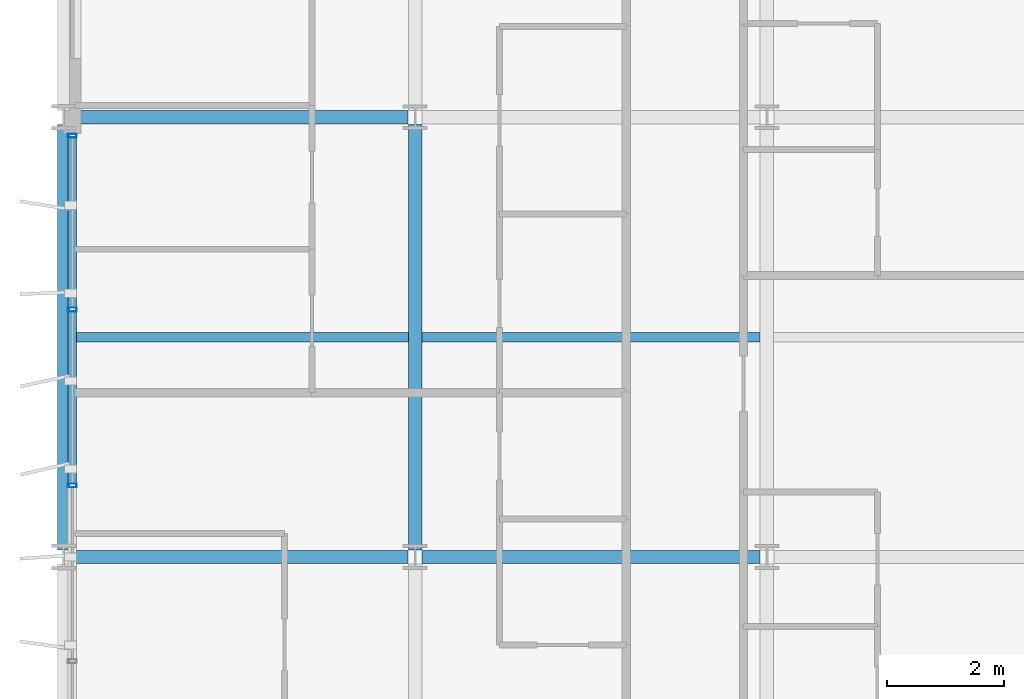
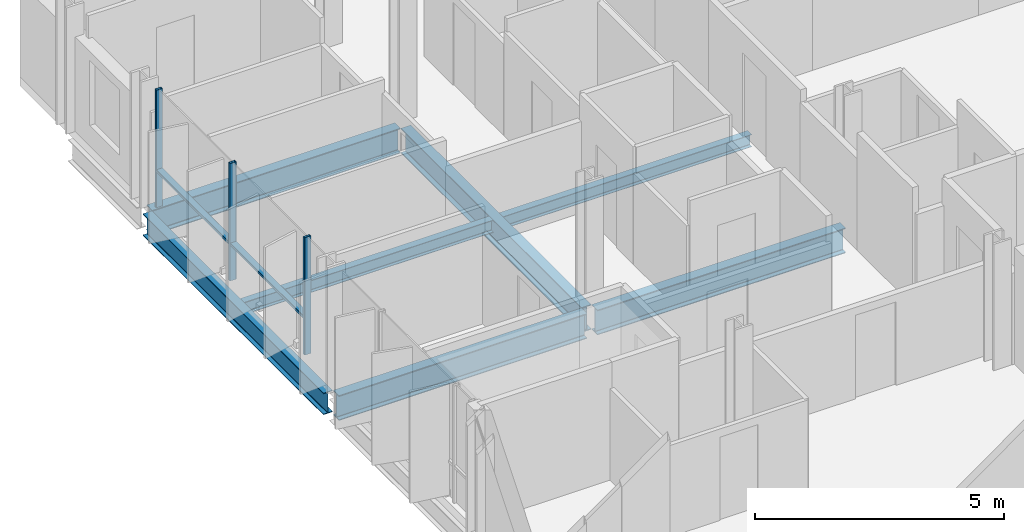
# One storey, part 5 of 38: 7 beams, 5 members, 1 element without a shape of its own.
"""IFC4 building model written with IfcOpenShell, lengths in metres."""

from ifc_helpers import new_model, si_unit, direction, frame, origin, origin_2d, place, context, subcontext, project, spatial, hollow_rectangle, i_section, extrude, material, layer, layer_set, material_profile, profile_set, type_object, element, aggregate, save


model = new_model("IFC4")

# Units and contexts
model_context = context("Model", 3, precision=1e-05, world=origin(), true_north=direction((0.0, 1.0)))
body_context = subcontext(model_context, "Body", "Model", "MODEL_VIEW")
ifc_project = project(units=[si_unit("LENGTHUNIT", "METRE"), si_unit("AREAUNIT", "SQUARE_METRE"), si_unit("VOLUMEUNIT", "CUBIC_METRE"), si_unit("PLANEANGLEUNIT", "RADIAN"), si_unit("MASSUNIT", "GRAM", prefix="KILO")], contexts=[model_context])

# Site, building, storey
site_placement = place(None, origin())
site = spatial("IfcSite", under=ifc_project, at=site_placement, CompositionType="ELEMENT")
building_placement = place(site_placement, origin())
building = spatial("IfcBuilding", under=site, at=building_placement, Name="Brevholm Reach", CompositionType="ELEMENT")
storey_placement = place(building_placement, frame((0.0, 0.0, 128.300048828125)))
storey = spatial("IfcBuildingStorey", under=building, at=storey_placement, Name="L38", CompositionType="ELEMENT", Elevation=128.300048828125)

# Beams
ifc_material_1 = material(Name="Structural Steel S355J2", Category="steel")
ifc_material_profile_1 = material_profile(ifc_material_1, i_section(OverallWidth=0.1650390625, OverallDepth=0.303466796875, WebThickness=0.006103515625, FlangeThickness=0.01025390625, FilletRadius=0.0087890625, at=origin_2d()), Name="UKB 305x165x40")
ifc_profile_set_1 = profile_set([ifc_material_profile_1], Name="Structural Steel S355J2")
beam_type_1 = type_object("IfcBeamType", Name="BM-B305", PredefinedType="BEAM", material=ifc_profile_set_1)
beam_1_placement = place(storey_placement, frame((0.104736328125, 19.75, -0.371826171875), z_axis=(1.0, 0.0, 0.0), x_axis=(0.0, 1.0, 0.0)))
element("IfcBeam", 1, at=beam_1_placement, inside=storey, type_object=beam_type_1, Name="L38 Composite Secondary Floor Beam", PredefinedType="BEAM", context=body_context, shape_type="SweptSolid", body=[
    extrude(i_section(OverallWidth=0.1650390625, OverallDepth=0.303466796875, WebThickness=0.006103515625, FlangeThickness=0.01025390625, FilletRadius=0.0087890625, at=origin_2d()), origin(), (0.0, 0.0, 1.0), 5.78076171875),
])
beam_2_placement = place(storey_placement, frame((6.114501953125, 19.75, -0.371826171875), z_axis=(1.0, 0.0, 0.0), x_axis=(0.0, 1.0, 0.0)))
element("IfcBeam", 2, at=beam_2_placement, inside=storey, type_object=beam_type_1, Name="L38 Composite Secondary Floor Beam", PredefinedType="BEAM", context=body_context, shape_type="SweptSolid", body=[
    extrude(i_section(OverallWidth=0.1650390625, OverallDepth=0.303466796875, WebThickness=0.006103515625, FlangeThickness=0.01025390625, FilletRadius=0.0087890625, at=origin_2d()), origin(), (0.0, 0.0, 1.0), 5.77099609375),
])
ifc_material_2 = material(Name="Structural Steel S355J2", Category="steel")
ifc_material_profile_2 = material_profile(ifc_material_2, i_section(OverallWidth=0.209228515625, OverallDepth=0.533203125, WebThickness=0.010009765625, FlangeThickness=0.015625, FilletRadius=0.0126953125, at=origin_2d()), Name="UKB 533x210x92")
ifc_profile_set_2 = profile_set([ifc_material_profile_2], Name="Structural Steel S355J2")
beam_type_2 = type_object("IfcBeamType", Name="BM-SP533", PredefinedType="SPANDREL", material=ifc_profile_set_2)
beam_3_placement = place(storey_placement, frame((0.0, 16.1201171875, -0.486572265625), z_axis=(0.0, 1.0, 0.0), x_axis=(-1.0, 0.0, 0.0)))
element("IfcBeam", 3, at=beam_3_placement, inside=storey, type_object=beam_type_2, Name="L38 SP-02 Framing Beam", PredefinedType="SPANDREL", context=body_context, shape_type="SweptSolid", body=[
    extrude(i_section(OverallWidth=0.209228515625, OverallDepth=0.533203125, WebThickness=0.010009765625, FlangeThickness=0.015625, FilletRadius=0.0126953125, at=origin_2d()), origin(), (0.0, 0.0, 1.0), 7.259765625),
])
ifc_material_3 = material(Name="Structural Steel S355J2", Category="steel")
ifc_material_profile_3 = material_profile(ifc_material_3, i_section(OverallWidth=0.22900390625, OverallDepth=0.6123046875, WebThickness=0.011962890625, FlangeThickness=0.01953125, FilletRadius=0.0126953125, at=origin_2d()), Name="UKB 610x229x125")
ifc_profile_set_3 = profile_set([ifc_material_profile_3], Name="Structural Steel S355J2")
beam_type_3 = type_object("IfcBeamType", Name="BM-SP610", PredefinedType="SPANDREL", material=ifc_profile_set_3)
for number, where, z_axis, x_axis, name in (
    (4, (0.1201171875, 16.0, -0.526123046875), (1.0, 0.0, 0.0), (0.0, 1.0, 0.0), "L38 SP-01 Framing Beam"),
    (5, (6.1201171875, 16.0, -0.526123046875), (1.0, 0.0, 0.0), (0.0, 1.0, 0.0), "L38 SP-01 Framing Beam"),
    (6, (0.1201171875, 23.5, -0.526123046875), (1.0, 0.0, 0.0), (0.0, 1.0, 0.0), "L38 SP-01 Framing Beam"),
):
    element("IfcBeam", number, at=place(storey_placement, frame(where, z_axis=z_axis, x_axis=x_axis)), inside=storey, type_object=beam_type_3, Name=name, PredefinedType="SPANDREL", context=body_context, shape_type="SweptSolid", body=[
        extrude(i_section(OverallWidth=0.22900390625, OverallDepth=0.6123046875, WebThickness=0.011962890625, FlangeThickness=0.01953125, FilletRadius=0.0126953125, at=origin_2d()), origin(), (0.0, 0.0, 1.0), 5.759765625),
    ])
beam_4_placement = place(storey_placement, frame((6.0, 16.1201171875, -0.526123046875), z_axis=(0.0, 1.0, 0.0), x_axis=(-1.0, 0.0, 0.0)))
element("IfcBeam", 7, at=beam_4_placement, inside=storey, type_object=beam_type_3, Name="L38 SP-01 Framing Beam", PredefinedType="SPANDREL", context=body_context, shape_type="SweptSolid", body=[
    extrude(i_section(OverallWidth=0.22900390625, OverallDepth=0.6123046875, WebThickness=0.011962890625, FlangeThickness=0.01953125, FilletRadius=0.0126953125, at=origin_2d()), origin(), (0.0, 0.0, 1.0), 7.259765625),
])

# Curtain wall, members
ifc_material_4 = material(Name="Dark Anodised Aluminium 6063-T6 and Solar-Control Glass", Category="aluminium")
ifc_layer = layer(ifc_material_4, 0.14990234375)
ifc_layer_set = layer_set([ifc_layer], Name="Dark Anodised Aluminium 6063-T6 and Solar-Control Glass")
curtain_wall_type = type_object("IfcCurtainWallType", Name="CW-01", PredefinedType="NOTDEFINED", material=ifc_layer_set)
curtain_wall_placement = place(storey_placement, origin())
curtain_wall = element("IfcCurtainWall", 8, at=curtain_wall_placement, inside=storey, type_object=curtain_wall_type, Name="L38 Curtain Wall CW-01", PredefinedType="NOTDEFINED")
ifc_material_5 = material(Name="Dark Anodised Aluminium 6063-T6", Category="aluminium")
ifc_material_profile_4 = material_profile(ifc_material_5, hollow_rectangle(XDim=0.06494140625, YDim=0.14990234375, WallThickness=0.0048828125, InnerFilletRadius=0.0048828125, OuterFilletRadius=0.010009765625, at=origin_2d()), Name="RHS 150x65x5")
ifc_profile_set_4 = profile_set([ifc_material_profile_4], Name="Dark Anodised Aluminium 6063-T6")
member_type_1 = type_object("IfcMemberType", Name="CWM-150", PredefinedType="MULLION", material=ifc_profile_set_4)
member_1_placement = place(storey_placement, frame((0.14990234375, 23.1875, 0.0), z_axis=(0.0, 0.0, 1.0), x_axis=(0.0, -1.0, 0.0)))
member_1 = element("IfcMember", 9, at=member_1_placement, type_object=member_type_1, Name="CM-150 Mullion 1", PredefinedType="MULLION", context=body_context, shape_type="SweptSolid", body=[
    extrude(hollow_rectangle(XDim=0.06494140625, YDim=0.14990234375, WallThickness=0.0048828125, InnerFilletRadius=0.0048828125, OuterFilletRadius=0.010009765625, at=origin_2d()), origin(), (0.0, 0.0, 1.0), 2.8798828125),
])
member_2_placement = place(storey_placement, frame((0.14990234375, 20.219970703125, 0.0), z_axis=(0.0, 0.0, 1.0), x_axis=(0.0, -1.0, 0.0)))
member_2 = element("IfcMember", 10, at=member_2_placement, type_object=member_type_1, Name="CM-150 Mullion 2", PredefinedType="MULLION", context=body_context, shape_type="SweptSolid", body=[
    extrude(hollow_rectangle(XDim=0.06494140625, YDim=0.14990234375, WallThickness=0.0048828125, InnerFilletRadius=0.0048828125, OuterFilletRadius=0.010009765625, at=origin_2d()), origin(), (0.0, 0.0, 1.0), 2.8798828125),
])
member_3_placement = place(storey_placement, frame((0.14990234375, 17.219970703125, 0.0), z_axis=(0.0, 0.0, 1.0), x_axis=(0.0, -1.0, 0.0)))
member_3 = element("IfcMember", 11, at=member_3_placement, type_object=member_type_1, Name="CM-150 Mullion 3", PredefinedType="MULLION", context=body_context, shape_type="SweptSolid", body=[
    extrude(hollow_rectangle(XDim=0.06494140625, YDim=0.14990234375, WallThickness=0.0048828125, InnerFilletRadius=0.0048828125, OuterFilletRadius=0.010009765625, at=origin_2d()), origin(), (0.0, 0.0, 1.0), 2.8798828125),
])
ifc_material_6 = material(Name="Dark Anodised Aluminium 6063-T6", Category="aluminium")
ifc_material_profile_5 = material_profile(ifc_material_6, hollow_rectangle(XDim=0.06494140625, YDim=0.14990234375, WallThickness=0.0048828125, InnerFilletRadius=0.0048828125, OuterFilletRadius=0.010009765625, at=origin_2d()), Name="RHS 150x65x5")
ifc_profile_set_5 = profile_set([ifc_material_profile_5], Name="Dark Anodised Aluminium 6063-T6")
member_type_2 = type_object("IfcMemberType", Name="CWT-150", PredefinedType="NOTDEFINED", material=ifc_profile_set_5)
member_4_placement = place(storey_placement, frame((0.14990234375, 23.155029296875, 0.89990234375), z_axis=(0.0, -1.0, 0.0), x_axis=(0.0, 0.0, 1.0)))
member_4 = element("IfcMember", 12, at=member_4_placement, type_object=member_type_2, Name="CT-150 Transom 1.1", ObjectType="TRANSOM", PredefinedType="USERDEFINED", context=body_context, shape_type="SweptSolid", body=[
    extrude(hollow_rectangle(XDim=0.06494140625, YDim=0.14990234375, WallThickness=0.0048828125, InnerFilletRadius=0.0048828125, OuterFilletRadius=0.010009765625, at=origin_2d()), origin(), (0.0, 0.0, 1.0), 2.902587890625),
])
member_5_placement = place(storey_placement, frame((0.14990234375, 20.1875, 0.89990234375), z_axis=(0.0, -1.0, 0.0), x_axis=(0.0, 0.0, 1.0)))
member_5 = element("IfcMember", 13, at=member_5_placement, type_object=member_type_2, Name="CT-150 Transom 2.1", ObjectType="TRANSOM", PredefinedType="USERDEFINED", context=body_context, shape_type="SweptSolid", body=[
    extrude(hollow_rectangle(XDim=0.06494140625, YDim=0.14990234375, WallThickness=0.0048828125, InnerFilletRadius=0.0048828125, OuterFilletRadius=0.010009765625, at=origin_2d()), origin(), (0.0, 0.0, 1.0), 2.93505859375),
])
aggregate(curtain_wall, [member_1, member_2, member_3, member_4, member_5])

save(model, "model.ifc")
